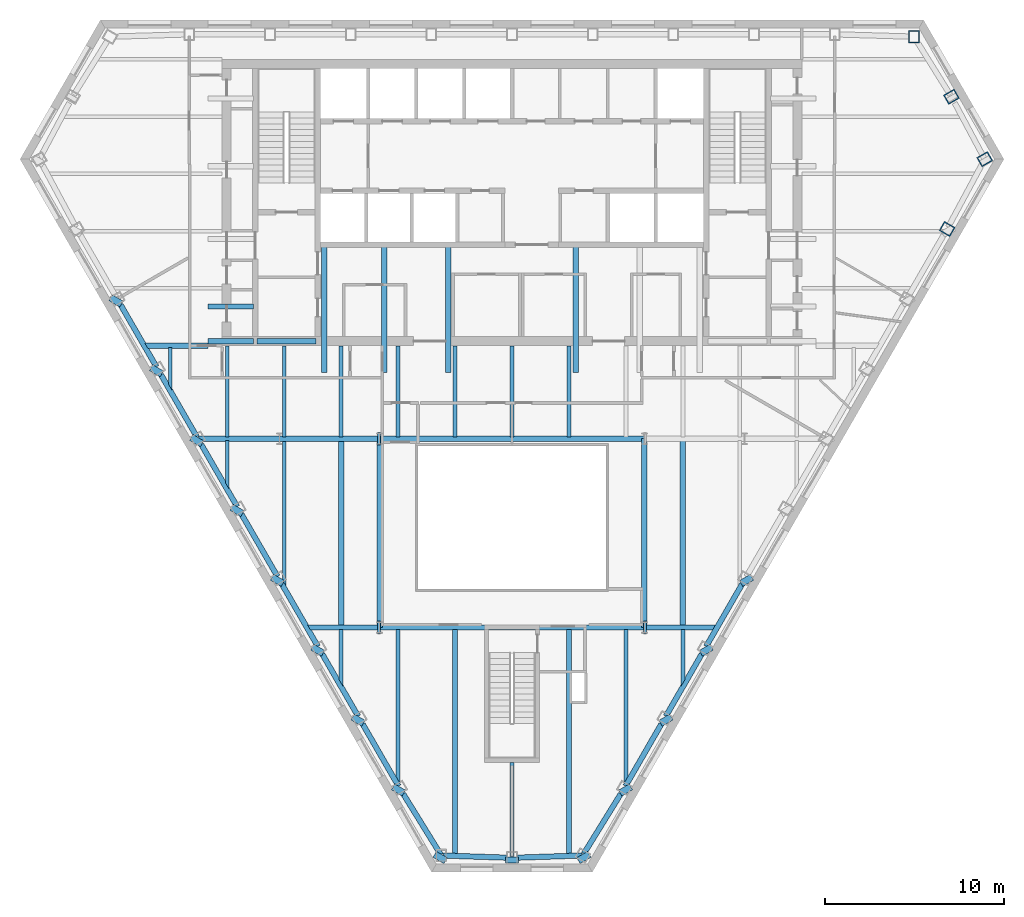
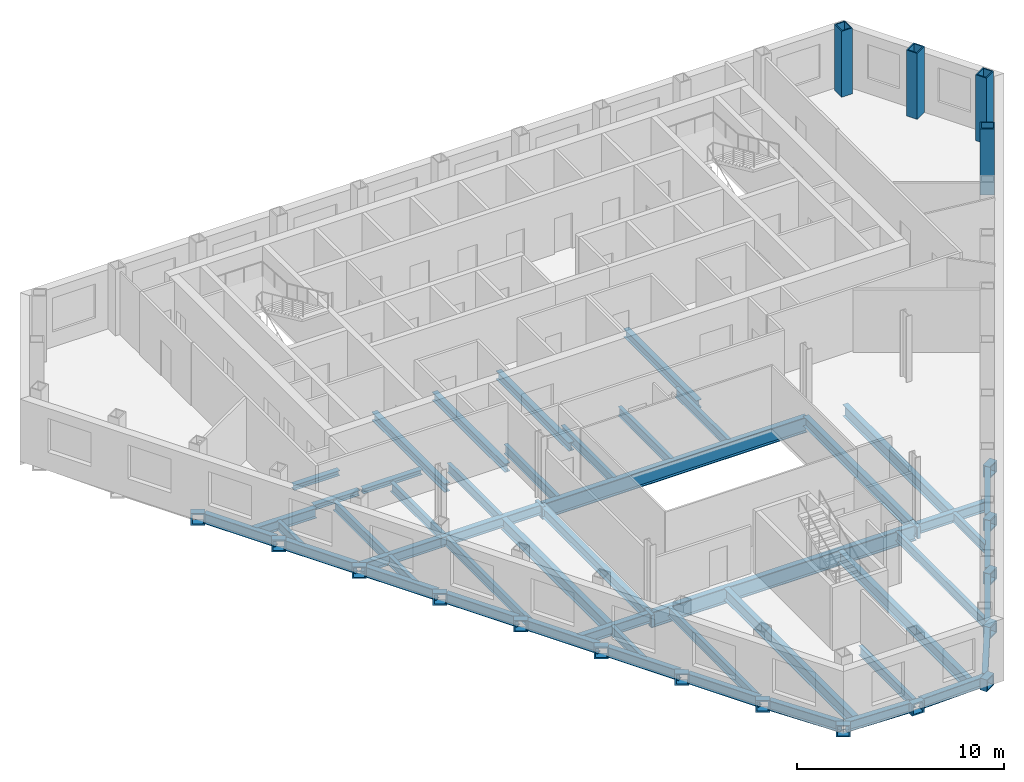
# One storey, part 2 of 11: 67 beams, 4 columns.
"""IFC4 building model written with IfcOpenShell, lengths in metres."""

import ifcopenshell
import ifcopenshell.guid

model = None  # the IFC model being written
_history = None  # IfcOwnerHistory: only IFC2X3 demands one
_inside = {}  # id of a spatial element -> (the spatial element, [elements in it])
_under = {}  # id of a project, library or spatial element -> (it, [spatial elements below it])
_declared = {}  # id of a project -> (the project, [libraries it declares])
_typed = {}  # id of a type object -> (the type object, [elements of that type])
_made_of = {}  # id of a material, layer set ... -> (it, [elements and type objects made of it])


def new_model(schema):
    """Start an empty IFC model of exactly this schema.

    Asked for "IFC4X3", IfcOpenShell would pick the latest addendum, in which some entities
    have other attributes; the version numbers below select the first issue.
    IFC2X3 requires an IfcOwnerHistory on every rooted entity: one is made here for all.
    """
    global model, _history
    if schema == "IFC4X3":
        model = ifcopenshell.file(schema_version=(4, 3, 0, 0))
    else:
        model = ifcopenshell.file(schema=schema)
    _inside.clear()
    _under.clear()
    _declared.clear()
    _typed.clear()
    _made_of.clear()
    _history = None
    if model.schema == "IFC2X3":
        org = make("IfcOrganization", Name="unknown")
        user = make(
            "IfcPersonAndOrganization",
            ThePerson=make("IfcPerson", FamilyName="unknown"),
            TheOrganization=org,
        )
        app = make(
            "IfcApplication",
            ApplicationDeveloper=org,
            Version="unknown",
            ApplicationFullName="unknown",
            ApplicationIdentifier="unknown",
        )
        _history = make(
            "IfcOwnerHistory",
            OwningUser=user,
            OwningApplication=app,
            ChangeAction="ADDED",
            CreationDate=0,
        )
    return model


def make(cls, **values):
    """One entity of the class cls with the attributes given. An attribute that is None is left unset."""
    return model.create_entity(
        cls, **{name: value for name, value in values.items() if value is not None}
    )


def rooted(cls, **values):
    """An entity with a GlobalId (a new one), such as an element, a storey or a relation."""
    return make(cls, GlobalId=ifcopenshell.guid.new(), OwnerHistory=_history, **values)


def si_unit(unit_type, name, prefix=None):
    """IfcSIUnit, for example si_unit("LENGTHUNIT", "METRE", prefix="MILLI")."""
    return make("IfcSIUnit", UnitType=unit_type, Prefix=prefix, Name=name)


def assignment(units):
    """IfcUnitAssignment: the units of a project."""
    return None if units is None else make("IfcUnitAssignment", Units=units)


def point(xyz):
    """IfcCartesianPoint."""
    return None if xyz is None else make("IfcCartesianPoint", Coordinates=xyz)


def direction(xyz):
    """IfcDirection."""
    return None if xyz is None else make("IfcDirection", DirectionRatios=xyz)


def frame(location, z_axis=None, x_axis=None):
    """IfcAxis2Placement3D, a coordinate frame: its origin and axes. An axis left out is left unset."""
    return make(
        "IfcAxis2Placement3D",
        Location=point(location),
        Axis=direction(z_axis),
        RefDirection=direction(x_axis),
    )


def frame_2d(location, x_axis=None):
    """IfcAxis2Placement2D, a coordinate frame in the plane: its origin and x axis."""
    return make(
        "IfcAxis2Placement2D", Location=point(location), RefDirection=direction(x_axis)
    )


def origin():
    """The frame at (0, 0, 0) with its axes left unset."""
    return frame((0.0, 0.0, 0.0))


def origin_2d():
    """The frame at (0, 0) in the plane with its x axis left unset."""
    return frame_2d((0.0, 0.0))


def place(relative_to, where):
    """IfcLocalPlacement: puts the frame where relative to a parent placement (None: the world)."""
    return make(
        "IfcLocalPlacement", PlacementRelTo=relative_to, RelativePlacement=where
    )


def context(
    kind, dimensions, precision=None, world=None, true_north=None, identifier=None
):
    """IfcGeometricRepresentationContext, for example the 3D "Model" context."""
    return make(
        "IfcGeometricRepresentationContext",
        ContextIdentifier=identifier,
        ContextType=kind,
        CoordinateSpaceDimension=dimensions,
        Precision=precision,
        WorldCoordinateSystem=world,
        TrueNorth=true_north,
    )


def subcontext(parent, identifier, kind, view, scale=None):
    """IfcGeometricRepresentationSubContext, for example "Body" below "Model"."""
    return make(
        "IfcGeometricRepresentationSubContext",
        ContextIdentifier=identifier,
        ContextType=kind,
        ParentContext=parent,
        TargetScale=scale,
        TargetView=view,
    )


def project(units=None, contexts=None):
    """IfcProject with its units and contexts."""
    return rooted(
        "IfcProject",
        Name="project",
        RepresentationContexts=contexts,
        UnitsInContext=assignment(units),
    )


def spatial(cls, under=None, at=None, **own):
    """A site, building, storey or space (cls), placed at a placement, below another one or the project."""
    s = rooted(cls, ObjectPlacement=at, **own)
    if under is not None:
        _under.setdefault(under.id(), (under, []))[1].append(s)
    return s


def profile(cls, at=None, kind="AREA", **sizes):
    """A parametric profile (cls). Its sizes go by their IFC names, for example OverallWidth=200.0."""
    return make(cls, ProfileType=kind, Position=at, **sizes)


def hollow_rectangle(**sizes):
    """IfcRectangleHollowProfileDef."""
    return profile("IfcRectangleHollowProfileDef", **sizes)


def i_section(**sizes):
    """IfcIShapeProfileDef."""
    return profile("IfcIShapeProfileDef", **sizes)


def extrude(swept, where, along, depth):
    """IfcExtrudedAreaSolid: the profile swept, set in the frame where, extruded along a direction by depth."""
    return make(
        "IfcExtrudedAreaSolid",
        SweptArea=swept,
        Position=where,
        ExtrudedDirection=direction(along),
        Depth=depth,
    )


def clip(a, b, op="DIFFERENCE"):
    """IfcBooleanClippingResult: the solid a cut by the half space b."""
    return make(
        "IfcBooleanClippingResult", Operator=op, FirstOperand=a, SecondOperand=b
    )


def halfspace(plane, agree):
    """IfcHalfSpaceSolid: all space on one side of the plane z = 0 of the frame plane."""
    return make(
        "IfcHalfSpaceSolid",
        BaseSurface=make("IfcPlane", Position=plane),
        AgreementFlag=agree,
    )


def shape(context_of_items, identifier, shape_type, items):
    """IfcShapeRepresentation: the items that make up one representation, for example the "Body"."""
    return make(
        "IfcShapeRepresentation",
        ContextOfItems=context_of_items,
        RepresentationIdentifier=identifier,
        RepresentationType=shape_type,
        Items=items,
    )


def material(Name=None, Category=None):
    """IfcMaterial."""
    return make("IfcMaterial", Name=Name, Category=Category)


def material_profile(
    of_material, cross_section, Name=None, Category=None, Priority=None
):
    """IfcMaterialProfile: a cross section and its material."""
    return make(
        "IfcMaterialProfile",
        Name=Name,
        Material=of_material,
        Profile=cross_section,
        Priority=Priority,
        Category=Category,
    )


def profile_set(profiles, Name=None, composite=None):
    """IfcMaterialProfileSet."""
    return make(
        "IfcMaterialProfileSet",
        Name=Name,
        MaterialProfiles=profiles,
        CompositeProfile=composite,
    )


def made_of(thing, what):
    """Note that an element or type object is made of a material, layer set ...; save() writes the relation."""
    if what is not None:
        _made_of.setdefault(what.id(), (what, []))[1].append(thing)
    return thing


def type_object(cls, material=None, **own):
    """A type object (cls), such as IfcWallType, which elements share."""
    return made_of(rooted(cls, **own), material)


def element(
    cls,
    number,
    at=None,
    inside=None,
    cuts=None,
    type_object=None,
    material=None,
    context=None,
    identifier="Body",
    shape_type=None,
    held_by="IfcProductDefinitionShape",
    body=None,
    shapes=None,
    **own,
):
    """One element of the class cls, such as IfcWall. Its Tag is "e" and its number.

    at: its placement. inside: the storey or other place that contains it. cuts: it is an
    opening in that element (IfcRelVoidsElement). A single representation is given by context,
    identifier, shape_type and body (its items); several are given by shapes. held_by: the class
    of the entity that holds the representations. save() writes the other relations.
    """
    e = rooted(cls, Tag="e%d" % number, ObjectPlacement=at, **own)
    if body is not None:
        shapes = [shape(context, identifier, shape_type, body)]
    if shapes is not None:
        e.Representation = make(held_by, Representations=shapes)
    if inside is not None:
        _inside.setdefault(inside.id(), (inside, []))[1].append(e)
    if cuts is not None:
        rooted(
            "IfcRelVoidsElement", RelatingBuildingElement=cuts, RelatedOpeningElement=e
        )
    if type_object is not None:
        _typed.setdefault(type_object.id(), (type_object, []))[1].append(e)
    return made_of(e, material)


def aggregate(whole, parts):
    """IfcRelAggregates: a whole, such as a stair, and the parts it consists of."""
    return rooted("IfcRelAggregates", RelatingObject=whole, RelatedObjects=parts)


def save(model, path):
    """Write the relations noted so far, then the file.

    IfcRelAggregates (storeys below a building ...), IfcRelContainedInSpatialStructure (elements
    in a storey), IfcRelDefinesByType, IfcRelAssociatesMaterial and IfcRelDeclares: one each for
    every whole, place, type object, material and project.
    """
    for whole, parts in _under.values():
        aggregate(whole, parts)
    for where, things in _inside.values():
        rooted(
            "IfcRelContainedInSpatialStructure",
            RelatedElements=things,
            RelatingStructure=where,
        )
    for kind, things in _typed.values():
        rooted("IfcRelDefinesByType", RelatedObjects=things, RelatingType=kind)
    for what, things in _made_of.values():
        rooted("IfcRelAssociatesMaterial", RelatedObjects=things, RelatingMaterial=what)
    for by, libraries in _declared.values():
        rooted("IfcRelDeclares", RelatingContext=by, RelatedDefinitions=libraries)
    model.write(path)


model = new_model("IFC4")

# Units and contexts
model_context = context("Model", 3, precision=1e-05, world=origin(), true_north=direction((0.0, 1.0)))
body_context = subcontext(model_context, "Body", "Model", "MODEL_VIEW")
ifc_project = project(units=[si_unit("LENGTHUNIT", "METRE"), si_unit("AREAUNIT", "SQUARE_METRE"), si_unit("VOLUMEUNIT", "CUBIC_METRE"), si_unit("PLANEANGLEUNIT", "RADIAN"), si_unit("MASSUNIT", "GRAM", prefix="KILO")], contexts=[model_context])

# Site, building, storey
site_placement = place(None, origin())
site = spatial("IfcSite", under=ifc_project, at=site_placement, CompositionType="ELEMENT")
building_placement = place(site_placement, origin())
building = spatial("IfcBuilding", under=site, at=building_placement, Name="Njiva Tower", CompositionType="ELEMENT")
storey_placement = place(building_placement, frame((0.0, 0.0, 139.8)))
storey = spatial("IfcBuildingStorey", under=building, at=storey_placement, Name="L29", CompositionType="ELEMENT", Elevation=139.8)

# Columns
ifc_material = material(Name="Steel S355 J2", Category="steel")
ifc_material_profile_1 = material_profile(ifc_material, hollow_rectangle(XDim=0.6, YDim=0.7, WallThickness=0.06, at=origin_2d()), Name="BOX 700x600x60")
ifc_profile_set_1 = profile_set([ifc_material_profile_1], Name="Steel S355 J2")
column_type = type_object("IfcColumnType", Name="C9 Perimeter tube column BOX 700x600x60", PredefinedType="COLUMN", material=ifc_profile_set_1)
for number, where, z_axis, x_axis, name in (
    (1, (22.466, 19.267, 0.0), (0.0, 0.0, 1.0), (-1.0, 0.0, 0.0), "Perimeter tube column S10-C01"),
    (2, (24.317, 8.519, 0.0), (0.0, 0.0, 1.0), (0.5, 0.866025403784, 0.0), "Perimeter tube column S10-C34"),
    (3, (26.418, 12.423, 0.0), (0.0, 0.0, 1.0), (-0.5, 0.866025403784, 0.0), "Perimeter tube column S10-C35"),
    (4, (24.557, 15.912, 0.0), (0.0, 0.0, 1.0), (-0.5, 0.866025403784, 0.0), "Perimeter tube column S10-C36"),
):
    element("IfcColumn", number, at=place(storey_placement, frame(where, z_axis=z_axis, x_axis=x_axis)), inside=storey, type_object=column_type, Name=name, PredefinedType="COLUMN", context=body_context, shape_type="SweptSolid", body=[
        extrude(hollow_rectangle(XDim=0.6, YDim=0.7, WallThickness=0.06, at=origin_2d()), origin(), (0.0, 0.0, 1.0), 3.9),
    ])

# Beams
ifc_material_profile_2 = material_profile(ifc_material, i_section(OverallWidth=0.3, OverallDepth=0.69, WebThickness=0.0145, FlangeThickness=0.027, at=origin_2d()), Name="HEA 700")
ifc_profile_set_2 = profile_set([ifc_material_profile_2], Name="Steel S355 J2")
beam_type_1 = type_object("IfcBeamType", Name="B12 Long-span floor joist HEA 700", PredefinedType="JOIST", material=ifc_profile_set_2)
beam_1_placement = place(storey_placement, frame((-9.55, -3.3, -0.545), z_axis=(0.0, -1.0, 0.0), x_axis=(1.0, 0.0, 0.0)))
element("IfcBeam", 5, at=beam_1_placement, inside=storey, type_object=beam_type_1, Name="Long-span floor joist S10-B078", PredefinedType="JOIST", context=body_context, shape_type="SweptSolid", body=[
    extrude(i_section(OverallWidth=0.3, OverallDepth=0.69, WebThickness=0.0145, FlangeThickness=0.027, at=origin_2d()), origin(), (0.0, 0.0, 1.0), 10.35),
])
for number, where, z_axis, x_axis, name in (
    (6, (-3.183, -13.851, -0.545), (0.0, -1.0, 0.0), (1.0, 0.0, 0.0), "Long-span floor joist S10-B083"),
    (7, (3.183, -13.851, -0.545), (0.0, -1.0, 0.0), (1.0, 0.0, 0.0), "Long-span floor joist S10-B088"),
):
    element("IfcBeam", number, at=place(storey_placement, frame(where, z_axis=z_axis, x_axis=x_axis)), inside=storey, type_object=beam_type_1, Name=name, PredefinedType="JOIST", context=body_context, shape_type="SweptSolid", body=[
        extrude(i_section(OverallWidth=0.3, OverallDepth=0.69, WebThickness=0.0145, FlangeThickness=0.027, at=origin_2d()), origin(), (0.0, 0.0, 1.0), 12.562),
    ])
beam_2_placement = place(storey_placement, frame((9.55, -3.3, -0.545), z_axis=(0.0, -1.0, 0.0), x_axis=(1.0, 0.0, 0.0)))
element("IfcBeam", 8, at=beam_2_placement, inside=storey, type_object=beam_type_1, Name="Long-span floor joist S10-B094", PredefinedType="JOIST", context=body_context, shape_type="SweptSolid", body=[
    extrude(i_section(OverallWidth=0.3, OverallDepth=0.69, WebThickness=0.0145, FlangeThickness=0.027, at=origin_2d()), origin(), (0.0, 0.0, 1.0), 10.35),
])
ifc_material_profile_3 = material_profile(ifc_material, hollow_rectangle(XDim=0.7, YDim=0.7, WallThickness=0.08, at=origin_2d()), Name="BOX 700x700x80")
ifc_profile_set_3 = profile_set([ifc_material_profile_3], Name="Steel S355 J2")
beam_type_2 = type_object("IfcBeamType", Name="B19 Column jog beam BOX 700x700x80", PredefinedType="BEAM", material=ifc_profile_set_3)
for number, where, z_axis, x_axis, name in (
    (9, (-22.223, 4.337, -0.55), (0.500102178127, 0.865966403178, 0.0), (-0.865966403178, 0.500102178127, 0.0), "Column jog beam S10-B046"),
    (10, (-19.968, 0.432, -0.55), (0.500102178127, 0.865966403178, 0.0), (-0.865966403178, 0.500102178127, 0.0), "Column jog beam S10-B047"),
    (11, (-17.714, -3.472, -0.55), (0.500102178127, 0.865966403178, 0.0), (-0.865966403178, 0.500102178127, 0.0), "Column jog beam S10-B048"),
    (12, (-15.46, -7.377, -0.55), (0.500102178127, 0.865966403178, 0.0), (-0.865966403178, 0.500102178127, 0.0), "Column jog beam S10-B049"),
):
    element("IfcBeam", number, at=place(storey_placement, frame(where, z_axis=z_axis, x_axis=x_axis)), inside=storey, type_object=beam_type_2, Name=name, PredefinedType="BEAM", context=body_context, shape_type="SweptSolid", body=[
        extrude(hollow_rectangle(XDim=0.7, YDim=0.7, WallThickness=0.08, at=origin_2d()), origin(), (0.0, 0.0, 1.0), 0.3799),
    ])
beam_3_placement = place(storey_placement, frame((-13.205, -11.282, -0.55), z_axis=(0.498964444867, 0.866622456874, 0.0), x_axis=(-0.866622456874, 0.498964444867, 0.0)))
element("IfcBeam", 13, at=beam_3_placement, inside=storey, type_object=beam_type_2, Name="Column jog beam S10-B050", PredefinedType="BEAM", context=body_context, shape_type="SweptSolid", body=[
    extrude(hollow_rectangle(XDim=0.7, YDim=0.7, WallThickness=0.08, at=origin_2d()), origin(), (0.0, 0.0, 1.0), 0.3808),
])
for number, where, z_axis, x_axis, name in (
    (14, (-10.951, -15.186, -0.55), (0.500102178127, 0.865966403178, 0.0), (-0.865966403178, 0.500102178127, 0.0), "Column jog beam S10-B051"),
    (15, (-8.697, -19.091, -0.55), (0.500102178127, 0.865966403178, 0.0), (-0.865966403178, 0.500102178127, 0.0), "Column jog beam S10-B052"),
    (16, (-6.442, -22.995, -0.55), (0.500102178127, 0.865966403178, 0.0), (-0.865966403178, 0.500102178127, 0.0), "Column jog beam S10-B055"),
    (17, (-4.111, -26.767, -0.55), (0.500102178127, 0.865966403178, 0.0), (-0.865966403178, 0.500102178127, 0.0), "Column jog beam S10-B056"),
):
    element("IfcBeam", number, at=place(storey_placement, frame(where, z_axis=z_axis, x_axis=x_axis)), inside=storey, type_object=beam_type_2, Name=name, PredefinedType="BEAM", context=body_context, shape_type="SweptSolid", body=[
        extrude(hollow_rectangle(XDim=0.7, YDim=0.7, WallThickness=0.08, at=origin_2d()), origin(), (0.0, 0.0, 1.0), 0.3799),
    ])
beam_4_placement = place(storey_placement, frame((0.0, -26.908, -0.55), z_axis=(0.0, 1.0, 0.0), x_axis=(-1.0, 0.0, 0.0)))
element("IfcBeam", 18, at=beam_4_placement, inside=storey, type_object=beam_type_2, Name="Column jog beam S10-B057", PredefinedType="BEAM", context=body_context, shape_type="SweptSolid", body=[
    extrude(hollow_rectangle(XDim=0.7, YDim=0.7, WallThickness=0.08, at=origin_2d()), origin(), (0.0, 0.0, 1.0), 0.345),
])
for number, where, z_axis, x_axis, name in (
    (19, (4.111, -26.767, -0.55), (-0.500102178127, 0.865966403178, 0.0), (-0.865966403178, -0.500102178127, 0.0), "Column jog beam S10-B058"),
    (20, (6.442, -22.995, -0.55), (-0.500102178127, 0.865966403178, 0.0), (-0.865966403178, -0.500102178127, 0.0), "Column jog beam S10-B059"),
    (21, (8.697, -19.091, -0.55), (-0.500102178127, 0.865966403178, 0.0), (-0.865966403178, -0.500102178127, 0.0), "Column jog beam S10-B062"),
    (22, (10.951, -15.186, -0.55), (-0.500102178127, 0.865966403178, 0.0), (-0.865966403178, -0.500102178127, 0.0), "Column jog beam S10-B063"),
):
    element("IfcBeam", number, at=place(storey_placement, frame(where, z_axis=z_axis, x_axis=x_axis)), inside=storey, type_object=beam_type_2, Name=name, PredefinedType="BEAM", context=body_context, shape_type="SweptSolid", body=[
        extrude(hollow_rectangle(XDim=0.7, YDim=0.7, WallThickness=0.08, at=origin_2d()), origin(), (0.0, 0.0, 1.0), 0.3799),
    ])
beam_5_placement = place(storey_placement, frame((13.205, -11.282, -0.55), z_axis=(-0.498964444867, 0.866622456874, 0.0), x_axis=(-0.866622456874, -0.498964444867, 0.0)))
element("IfcBeam", 23, at=beam_5_placement, inside=storey, type_object=beam_type_2, Name="Column jog beam S10-B064", PredefinedType="BEAM", context=body_context, shape_type="SweptSolid", body=[
    extrude(hollow_rectangle(XDim=0.7, YDim=0.7, WallThickness=0.08, at=origin_2d()), origin(), (0.0, 0.0, 1.0), 0.3808),
])
for number, where, z_axis, x_axis, name in (
    (24, (-7.52, -3.2, -0.55), (1.0, 0.0, 0.0), (0.0, 1.0, 0.0), "Column jog beam S10-B054"),
    (25, (7.52, -13.75, -0.55), (-1.0, 0.0, 0.0), (0.0, -1.0, 0.0), "Column jog beam S10-B060"),
    (26, (-7.52, -13.75, -0.55), (1.0, 0.0, 0.0), (0.0, 1.0, 0.0), "Column jog beam S10-B053"),
):
    element("IfcBeam", number, at=place(storey_placement, frame(where, z_axis=z_axis, x_axis=x_axis)), inside=storey, type_object=beam_type_2, Name=name, PredefinedType="BEAM", context=body_context, shape_type="SweptSolid", body=[
        extrude(hollow_rectangle(XDim=0.7, YDim=0.7, WallThickness=0.08, at=origin_2d()), origin(), (0.0, 0.0, 1.0), 0.18),
    ])
ifc_material_profile_4 = material_profile(ifc_material, i_section(OverallWidth=0.3, OverallDepth=0.59, WebThickness=0.013, FlangeThickness=0.025, at=origin_2d()), Name="HEA 600")
ifc_profile_set_4 = profile_set([ifc_material_profile_4], Name="Steel S355 J2")
beam_type_3 = type_object("IfcBeamType", Name="B27 Short-span spandrel beam HEA 600", PredefinedType="SPANDREL", material=ifc_profile_set_4)
beam_6_placement = place(storey_placement, frame((-21.873, 4.285, -0.495), z_axis=(0.500082280366, -0.865977893981, 0.0), x_axis=(0.865977893981, 0.500082280366, 0.0)))
element("IfcBeam", 27, at=beam_6_placement, inside=storey, type_object=beam_type_3, Name="Short-span spandrel beam S10-B117", PredefinedType="SPANDREL", context=body_context, shape_type="SweptSolid", body=[
    extrude(i_section(OverallWidth=0.3, OverallDepth=0.59, WebThickness=0.013, FlangeThickness=0.025, at=origin_2d()), origin(), (0.0, 0.0, 1.0), 4.0093),
])
beam_7_placement = place(storey_placement, frame((-19.618, 0.38, -0.495), z_axis=(0.500003221507, -0.866023543838, 0.0), x_axis=(0.866023543838, 0.500003221507, 0.0)))
element("IfcBeam", 28, at=beam_7_placement, inside=storey, type_object=beam_type_3, Name="Short-span spandrel beam S10-B119", PredefinedType="SPANDREL", context=body_context, shape_type="SweptSolid", body=[
    extrude(i_section(OverallWidth=0.3, OverallDepth=0.59, WebThickness=0.013, FlangeThickness=0.025, at=origin_2d()), origin(), (0.0, 0.0, 1.0), 4.008),
])
beam_8_placement = place(storey_placement, frame((-17.364, -3.524, -0.495), z_axis=(0.499895202697, -0.866085900082, 0.0), x_axis=(0.866085900082, 0.499895202697, 0.0)))
element("IfcBeam", 29, at=beam_8_placement, inside=storey, type_object=beam_type_3, Name="Short-span spandrel beam S10-B122", PredefinedType="SPANDREL", context=body_context, shape_type="SweptSolid", body=[
    extrude(i_section(OverallWidth=0.3, OverallDepth=0.59, WebThickness=0.013, FlangeThickness=0.025, at=origin_2d()), origin(), (0.0, 0.0, 1.0), 4.0088),
])
beam_9_placement = place(storey_placement, frame((-15.11, -7.429, -0.495), z_axis=(0.500082280366, -0.865977893981, 0.0), x_axis=(0.865977893981, 0.500082280366, 0.0)))
element("IfcBeam", 30, at=beam_9_placement, inside=storey, type_object=beam_type_3, Name="Short-span spandrel beam S10-B124", PredefinedType="SPANDREL", context=body_context, shape_type="SweptSolid", body=[
    extrude(i_section(OverallWidth=0.3, OverallDepth=0.59, WebThickness=0.013, FlangeThickness=0.025, at=origin_2d()), origin(), (0.0, 0.0, 1.0), 4.0093),
])
beam_10_placement = place(storey_placement, frame((-12.855, -11.334, -0.495), z_axis=(0.500003221507, -0.866023543838, 0.0), x_axis=(0.866023543838, 0.500003221507, 0.0)))
element("IfcBeam", 31, at=beam_10_placement, inside=storey, type_object=beam_type_3, Name="Short-span spandrel beam S10-B127", PredefinedType="SPANDREL", context=body_context, shape_type="SweptSolid", body=[
    extrude(i_section(OverallWidth=0.3, OverallDepth=0.59, WebThickness=0.013, FlangeThickness=0.025, at=origin_2d()), origin(), (0.0, 0.0, 1.0), 4.008),
])
beam_11_placement = place(storey_placement, frame((-10.601, -15.238, -0.495), z_axis=(0.499895202697, -0.866085900082, 0.0), x_axis=(0.866085900082, 0.499895202697, 0.0)))
element("IfcBeam", 32, at=beam_11_placement, inside=storey, type_object=beam_type_3, Name="Short-span spandrel beam S10-B129", PredefinedType="SPANDREL", context=body_context, shape_type="SweptSolid", body=[
    extrude(i_section(OverallWidth=0.3, OverallDepth=0.59, WebThickness=0.013, FlangeThickness=0.025, at=origin_2d()), origin(), (0.0, 0.0, 1.0), 4.0088),
])
beam_12_placement = place(storey_placement, frame((-8.347, -19.143, -0.495), z_axis=(0.500190312643, -0.865915498844, 0.0), x_axis=(0.865915498844, 0.500190312643, 0.0)))
element("IfcBeam", 33, at=beam_12_placement, inside=storey, type_object=beam_type_3, Name="Short-span spandrel beam S10-B132", PredefinedType="SPANDREL", context=body_context, shape_type="SweptSolid", body=[
    extrude(i_section(OverallWidth=0.3, OverallDepth=0.59, WebThickness=0.013, FlangeThickness=0.025, at=origin_2d()), origin(), (0.0, 0.0, 1.0), 4.0085),
])
beam_13_placement = place(storey_placement, frame((-6.081, -23.044, -0.495), z_axis=(0.525842012899, -0.850582257909, 0.0), x_axis=(0.850582257909, 0.525842012899, 0.0)))
element("IfcBeam", 34, at=beam_13_placement, inside=storey, type_object=beam_type_3, Name="Short-span spandrel beam S10-B134", PredefinedType="SPANDREL", context=body_context, shape_type="Clipping", body=[
    clip(extrude(i_section(OverallWidth=0.3, OverallDepth=0.59, WebThickness=0.013, FlangeThickness=0.025, at=origin_2d()), origin(), (0.0, 0.0, 1.0), 4.0762), halfspace(frame((-0.0266, 0.0, 3.9467), z_axis=(-0.525842012899, 0.0, 0.850582257909), x_axis=(0.0, 1.0, 0.0)), False)),
])
beam_14_placement = place(storey_placement, frame((-3.827, -26.494, -0.495), z_axis=(0.999436808109, -0.033556915773, 0.0), x_axis=(0.033556915773, 0.999436808109, 0.0)))
element("IfcBeam", 35, at=beam_14_placement, inside=storey, type_object=beam_type_3, Name="Short-span spandrel beam S10-B136", PredefinedType="SPANDREL", context=body_context, shape_type="SweptSolid", body=[
    extrude(i_section(OverallWidth=0.3, OverallDepth=0.59, WebThickness=0.013, FlangeThickness=0.025, at=origin_2d()), origin(), (0.0, 0.0, 1.0), 3.576),
])
beam_15_placement = place(storey_placement, frame((0.253, -26.614, -0.495), z_axis=(0.999438744518, 0.033499193376, 0.0), x_axis=(-0.033499193376, 0.999438744518, 0.0)))
element("IfcBeam", 36, at=beam_15_placement, inside=storey, type_object=beam_type_3, Name="Short-span spandrel beam S10-B139", PredefinedType="SPANDREL", context=body_context, shape_type="Clipping", body=[
    clip(extrude(i_section(OverallWidth=0.3, OverallDepth=0.59, WebThickness=0.013, FlangeThickness=0.025, at=origin_2d()), origin(), (0.0, 0.0, 1.0), 3.725), halfspace(frame((-0.0261, 0.0, 3.5955), z_axis=(-0.528728574125, 0.0, 0.848790960664), x_axis=(0.0, 1.0, 0.0)), False)),
])
beam_16_placement = place(storey_placement, frame((4.016, -26.385, -0.495), z_axis=(0.525758460145, 0.850633905735, 0.0), x_axis=(-0.850633905735, 0.525758460145, 0.0)))
element("IfcBeam", 37, at=beam_16_placement, inside=storey, type_object=beam_type_3, Name="Short-span spandrel beam S10-B141", PredefinedType="SPANDREL", context=body_context, shape_type="SweptSolid", body=[
    extrude(i_section(OverallWidth=0.3, OverallDepth=0.59, WebThickness=0.013, FlangeThickness=0.025, at=origin_2d()), origin(), (0.0, 0.0, 1.0), 3.9277),
])
beam_17_placement = place(storey_placement, frame((6.342, -22.614, -0.495), z_axis=(0.500190312643, 0.865915498844, 0.0), x_axis=(-0.865915498844, 0.500190312643, 0.0)))
element("IfcBeam", 38, at=beam_17_placement, inside=storey, type_object=beam_type_3, Name="Short-span spandrel beam S10-B144", PredefinedType="SPANDREL", context=body_context, shape_type="SweptSolid", body=[
    extrude(i_section(OverallWidth=0.3, OverallDepth=0.59, WebThickness=0.013, FlangeThickness=0.025, at=origin_2d()), origin(), (0.0, 0.0, 1.0), 4.0085),
])
beam_18_placement = place(storey_placement, frame((8.597, -18.71, -0.495), z_axis=(0.499895202697, 0.866085900082, 0.0), x_axis=(-0.866085900082, 0.499895202697, 0.0)))
element("IfcBeam", 39, at=beam_18_placement, inside=storey, type_object=beam_type_3, Name="Short-span spandrel beam S10-B146", PredefinedType="SPANDREL", context=body_context, shape_type="SweptSolid", body=[
    extrude(i_section(OverallWidth=0.3, OverallDepth=0.59, WebThickness=0.013, FlangeThickness=0.025, at=origin_2d()), origin(), (0.0, 0.0, 1.0), 4.0088),
])
beam_19_placement = place(storey_placement, frame((10.851, -14.805, -0.495), z_axis=(0.500003221507, 0.866023543838, 0.0), x_axis=(-0.866023543838, 0.500003221507, 0.0)))
element("IfcBeam", 40, at=beam_19_placement, inside=storey, type_object=beam_type_3, Name="Short-span spandrel beam S10-B149", PredefinedType="SPANDREL", context=body_context, shape_type="SweptSolid", body=[
    extrude(i_section(OverallWidth=0.3, OverallDepth=0.59, WebThickness=0.013, FlangeThickness=0.025, at=origin_2d()), origin(), (0.0, 0.0, 1.0), 4.008),
])
ifc_material_profile_5 = material_profile(ifc_material, i_section(OverallWidth=0.3, OverallDepth=0.59, WebThickness=0.013, FlangeThickness=0.025, at=origin_2d()), Name="HEA 600")
ifc_profile_set_5 = profile_set([ifc_material_profile_5], Name="Steel S355 J2")
beam_type_4 = type_object("IfcBeamType", Name="B28 Floor girder HEA 600", PredefinedType="BEAM", material=ifc_profile_set_5)
beam_20_placement = place(storey_placement, frame((-13.0, -3.2, -0.495), z_axis=(1.0, 0.0, 0.0), x_axis=(0.0, 1.0, 0.0)))
element("IfcBeam", 41, at=beam_20_placement, inside=storey, type_object=beam_type_4, Name="Floor girder S10-B035", PredefinedType="BEAM", context=body_context, shape_type="SweptSolid", body=[
    extrude(i_section(OverallWidth=0.3, OverallDepth=0.59, WebThickness=0.013, FlangeThickness=0.025, at=origin_2d()), origin(), (0.0, 0.0, 1.0), 5.6),
])
ifc_material_profile_6 = material_profile(ifc_material, i_section(OverallWidth=0.3, OverallDepth=0.59, WebThickness=0.013, FlangeThickness=0.025, at=origin_2d()), Name="HEA 600")
ifc_profile_set_6 = profile_set([ifc_material_profile_6], Name="Steel S355 J2")
beam_type_5 = type_object("IfcBeamType", Name="B29 Short-span floor girder HEA 600", PredefinedType="BEAM", material=ifc_profile_set_6)
beam_21_placement = place(storey_placement, frame((-17.572, -3.2, -0.495), z_axis=(1.0, 0.0, 0.0), x_axis=(0.0, 1.0, 0.0)))
element("IfcBeam", 42, at=beam_21_placement, inside=storey, type_object=beam_type_5, Name="Short-span floor girder S10-B033", PredefinedType="BEAM", context=body_context, shape_type="Clipping", body=[
    clip(extrude(i_section(OverallWidth=0.3, OverallDepth=0.59, WebThickness=0.013, FlangeThickness=0.025, at=origin_2d()), origin(), (0.0, 0.0, 1.0), 4.572), halfspace(frame((-0.025, 0.0, 0.1218), z_axis=(-0.499998009787, 0.0, -0.866026552831), x_axis=(0.0, -1.0, 0.0)), False)),
])
beam_22_placement = place(storey_placement, frame((-11.452, -13.75, -0.495), z_axis=(1.0, 0.0, 0.0), x_axis=(0.0, 1.0, 0.0)))
element("IfcBeam", 43, at=beam_22_placement, inside=storey, type_object=beam_type_5, Name="Short-span floor girder S10-B036", PredefinedType="BEAM", context=body_context, shape_type="Clipping", body=[
    clip(extrude(i_section(OverallWidth=0.3, OverallDepth=0.59, WebThickness=0.013, FlangeThickness=0.025, at=origin_2d()), origin(), (0.0, 0.0, 1.0), 4.052), halfspace(frame((-0.025, 0.0, 0.1217), z_axis=(-0.499998009787, 0.0, -0.866026552831), x_axis=(0.0, -1.0, 0.0)), False)),
])
beam_23_placement = place(storey_placement, frame((7.4, -13.75, -0.495), z_axis=(1.0, 0.0, 0.0), x_axis=(0.0, 1.0, 0.0)))
element("IfcBeam", 44, at=beam_23_placement, inside=storey, type_object=beam_type_5, Name="Short-span floor girder S10-B037", PredefinedType="BEAM", context=body_context, shape_type="Clipping", body=[
    clip(extrude(i_section(OverallWidth=0.3, OverallDepth=0.59, WebThickness=0.013, FlangeThickness=0.025, at=origin_2d()), origin(), (0.0, 0.0, 1.0), 4.052), halfspace(frame((-0.025, 0.0, 3.9303), z_axis=(-0.499998009787, 0.0, 0.866026552831), x_axis=(0.0, 1.0, 0.0)), False)),
])
beam_24_placement = place(storey_placement, frame((-20.545, 2.0, -0.495), z_axis=(1.0, 0.0, 0.0), x_axis=(0.0, 1.0, 0.0)))
element("IfcBeam", 45, at=beam_24_placement, inside=storey, type_object=beam_type_5, Name="Short-span floor girder S10-B031", PredefinedType="BEAM", context=body_context, shape_type="Clipping", body=[
    clip(extrude(i_section(OverallWidth=0.3, OverallDepth=0.59, WebThickness=0.013, FlangeThickness=0.025, at=origin_2d()), origin(), (0.0, 0.0, 1.0), 3.545), halfspace(frame((-0.025, 0.0, 0.1214), z_axis=(-0.499998009787, 0.0, -0.866026552831), x_axis=(0.0, -1.0, 0.0)), False)),
])
ifc_material_profile_7 = material_profile(ifc_material, i_section(OverallWidth=0.3, OverallDepth=0.59, WebThickness=0.013, FlangeThickness=0.025, at=origin_2d()), Name="HEA 600")
ifc_profile_set_7 = profile_set([ifc_material_profile_7], Name="Steel S355 J2")
beam_type_6 = type_object("IfcBeamType", Name="B30 Long-span atrium trimmer beam HEA 600", PredefinedType="BEAM", material=ifc_profile_set_7)
for number, where, z_axis, x_axis, name in (
    (46, (7.4, -13.75, -0.495), (0.0, 1.0, 0.0), (-1.0, 0.0, 0.0), "Long-span atrium trimmer beam S10-B105"),
    (47, (-7.4, -3.2, -0.495), (0.0, -1.0, 0.0), (1.0, 0.0, 0.0), "Long-span atrium trimmer beam S10-B101"),
):
    element("IfcBeam", number, at=place(storey_placement, frame(where, z_axis=z_axis, x_axis=x_axis)), inside=storey, type_object=beam_type_6, Name=name, PredefinedType="BEAM", context=body_context, shape_type="SweptSolid", body=[
        extrude(i_section(OverallWidth=0.3, OverallDepth=0.59, WebThickness=0.013, FlangeThickness=0.025, at=origin_2d()), origin(), (0.0, 0.0, 1.0), 10.55),
    ])
ifc_material_profile_8 = material_profile(ifc_material, i_section(OverallWidth=0.21, OverallDepth=0.55, WebThickness=0.0111, FlangeThickness=0.0172, at=origin_2d()), Name="IPE 550")
ifc_profile_set_8 = profile_set([ifc_material_profile_8], Name="Steel S355 J2")
beam_type_7 = type_object("IfcBeamType", Name="B31 Short-span floor joist IPE 550", PredefinedType="JOIST", material=ifc_profile_set_8)
beam_25_placement = place(storey_placement, frame((-19.1, 1.9, -0.475), z_axis=(0.0, -1.0, 0.0), x_axis=(1.0, 0.0, 0.0)))
element("IfcBeam", 48, at=beam_25_placement, inside=storey, type_object=beam_type_7, Name="Short-span floor joist S10-B072", PredefinedType="JOIST", context=body_context, shape_type="Clipping", body=[
    clip(extrude(i_section(OverallWidth=0.21, OverallDepth=0.55, WebThickness=0.0111, FlangeThickness=0.0172, at=origin_2d()), origin(), (0.0, 0.0, 1.0), 2.419), halfspace(frame((-0.0433, 0.0, 2.1425), z_axis=(-0.866026552831, 0.0, 0.499998009787), x_axis=(0.0, 1.0, 0.0)), False)),
])
beam_26_placement = place(storey_placement, frame((-15.917, -3.3, -0.475), z_axis=(0.0, -1.0, 0.0), x_axis=(1.0, 0.0, 0.0)))
element("IfcBeam", 49, at=beam_26_placement, inside=storey, type_object=beam_type_7, Name="Short-span floor joist S10-B073", PredefinedType="JOIST", context=body_context, shape_type="Clipping", body=[
    clip(extrude(i_section(OverallWidth=0.21, OverallDepth=0.55, WebThickness=0.0111, FlangeThickness=0.0172, at=origin_2d()), origin(), (0.0, 0.0, 1.0), 2.733), halfspace(frame((-0.043, 0.0, 2.4562), z_axis=(-0.866026552831, 0.0, 0.499998009787), x_axis=(0.0, 1.0, 0.0)), False)),
])
beam_27_placement = place(storey_placement, frame((-9.55, -13.85, -0.475), z_axis=(0.0, -1.0, 0.0), x_axis=(1.0, 0.0, 0.0)))
element("IfcBeam", 50, at=beam_27_placement, inside=storey, type_object=beam_type_7, Name="Short-span floor joist S10-B077", PredefinedType="JOIST", context=body_context, shape_type="Clipping", body=[
    clip(extrude(i_section(OverallWidth=0.21, OverallDepth=0.55, WebThickness=0.0111, FlangeThickness=0.0172, at=origin_2d()), origin(), (0.0, 0.0, 1.0), 3.211), halfspace(frame((-0.0433, 0.0, 2.9336), z_axis=(-0.866026552831, 0.0, 0.499998009787), x_axis=(0.0, 1.0, 0.0)), False)),
])
beam_28_placement = place(storey_placement, frame((9.55, -13.85, -0.475), z_axis=(0.0, -1.0, 0.0), x_axis=(1.0, 0.0, 0.0)))
element("IfcBeam", 51, at=beam_28_placement, inside=storey, type_object=beam_type_7, Name="Short-span floor joist S10-B093", PredefinedType="JOIST", context=body_context, shape_type="Clipping", body=[
    clip(extrude(i_section(OverallWidth=0.21, OverallDepth=0.55, WebThickness=0.0111, FlangeThickness=0.0172, at=origin_2d()), origin(), (0.0, 0.0, 1.0), 3.211), halfspace(frame((0.0433, 0.0, 2.9336), z_axis=(0.866026552831, 0.0, 0.499998009787), x_axis=(0.0, 1.0, 0.0)), False)),
])
ifc_material_profile_9 = material_profile(ifc_material, i_section(OverallWidth=0.21, OverallDepth=0.55, WebThickness=0.0111, FlangeThickness=0.0172, at=origin_2d()), Name="IPE 550")
ifc_profile_set_9 = profile_set([ifc_material_profile_9], Name="Steel S355 J2")
beam_type_8 = type_object("IfcBeamType", Name="B32 Floor joist IPE 550", PredefinedType="JOIST", material=ifc_profile_set_9)
for number, where, z_axis, x_axis, name in (
    (52, (-15.917, 1.995, -0.475), (0.0, -1.0, 0.0), (1.0, 0.0, 0.0), "Floor joist S10-B074"),
    (53, (-12.733, 1.995, -0.475), (0.0, -1.0, 0.0), (1.0, 0.0, 0.0), "Floor joist S10-B076"),
):
    element("IfcBeam", number, at=place(storey_placement, frame(where, z_axis=z_axis, x_axis=x_axis)), inside=storey, type_object=beam_type_8, Name=name, PredefinedType="JOIST", context=body_context, shape_type="SweptSolid", body=[
        extrude(i_section(OverallWidth=0.21, OverallDepth=0.55, WebThickness=0.0111, FlangeThickness=0.0172, at=origin_2d()), origin(), (0.0, 0.0, 1.0), 5.095),
    ])
beam_29_placement = place(storey_placement, frame((-12.733, -3.3, -0.475), z_axis=(0.0, -1.0, 0.0), x_axis=(1.0, 0.0, 0.0)))
element("IfcBeam", 54, at=beam_29_placement, inside=storey, type_object=beam_type_8, Name="Floor joist S10-B075", PredefinedType="JOIST", context=body_context, shape_type="Clipping", body=[
    clip(extrude(i_section(OverallWidth=0.21, OverallDepth=0.55, WebThickness=0.0111, FlangeThickness=0.0172, at=origin_2d()), origin(), (0.0, 0.0, 1.0), 8.247), halfspace(frame((-0.0436, 0.0, 7.9699), z_axis=(-0.866026552831, 0.0, 0.499998009787), x_axis=(0.0, 1.0, 0.0)), False)),
])
beam_30_placement = place(storey_placement, frame((-9.55, 1.995, -0.475), z_axis=(0.0, -1.0, 0.0), x_axis=(1.0, 0.0, 0.0)))
element("IfcBeam", 55, at=beam_30_placement, inside=storey, type_object=beam_type_8, Name="Floor joist S10-B079", PredefinedType="JOIST", context=body_context, shape_type="SweptSolid", body=[
    extrude(i_section(OverallWidth=0.21, OverallDepth=0.55, WebThickness=0.0111, FlangeThickness=0.0172, at=origin_2d()), origin(), (0.0, 0.0, 1.0), 5.095),
])
beam_31_placement = place(storey_placement, frame((-6.367, 1.995, -0.475), z_axis=(0.0, -1.0, 0.0), x_axis=(1.0, 0.0, 0.0)))
element("IfcBeam", 56, at=beam_31_placement, inside=storey, type_object=beam_type_8, Name="Floor joist S10-B082", PredefinedType="JOIST", context=body_context, shape_type="SweptSolid", body=[
    extrude(i_section(OverallWidth=0.21, OverallDepth=0.55, WebThickness=0.0111, FlangeThickness=0.0172, at=origin_2d()), origin(), (0.0, 0.0, 1.0), 5.094),
])
beam_32_placement = place(storey_placement, frame((-6.367, -13.851, -0.475), z_axis=(0.0, -1.0, 0.0), x_axis=(1.0, 0.0, 0.0)))
element("IfcBeam", 57, at=beam_32_placement, inside=storey, type_object=beam_type_8, Name="Floor joist S10-B080", PredefinedType="JOIST", context=body_context, shape_type="Clipping", body=[
    clip(extrude(i_section(OverallWidth=0.21, OverallDepth=0.55, WebThickness=0.0111, FlangeThickness=0.0172, at=origin_2d()), origin(), (0.0, 0.0, 1.0), 8.858), halfspace(frame((0.0253, 0.0, 8.7627), z_axis=(0.499998009787, 0.0, 0.866026552831), x_axis=(0.0, 1.0, 0.0)), False)),
])
for number, where, z_axis, x_axis, name in (
    (58, (-3.183, 1.995, -0.475), (0.0, -1.0, 0.0), (1.0, 0.0, 0.0), "Floor joist S10-B084"),
    (59, (0.0, 1.995, -0.475), (0.0, -1.0, 0.0), (1.0, 0.0, 0.0), "Floor joist S10-B087"),
):
    element("IfcBeam", number, at=place(storey_placement, frame(where, z_axis=z_axis, x_axis=x_axis)), inside=storey, type_object=beam_type_8, Name=name, PredefinedType="JOIST", context=body_context, shape_type="SweptSolid", body=[
        extrude(i_section(OverallWidth=0.21, OverallDepth=0.55, WebThickness=0.0111, FlangeThickness=0.0172, at=origin_2d()), origin(), (0.0, 0.0, 1.0), 5.094),
    ])
beam_33_placement = place(storey_placement, frame((0.0, -21.3, -0.475), z_axis=(0.0, -1.0, 0.0), x_axis=(1.0, 0.0, 0.0)))
element("IfcBeam", 60, at=beam_33_placement, inside=storey, type_object=beam_type_8, Name="Floor joist S10-B085", PredefinedType="JOIST", context=body_context, shape_type="SweptSolid", body=[
    extrude(i_section(OverallWidth=0.21, OverallDepth=0.55, WebThickness=0.0111, FlangeThickness=0.0172, at=origin_2d()), origin(), (0.0, 0.0, 1.0), 5.248),
])
beam_34_placement = place(storey_placement, frame((3.183, 1.995, -0.475), z_axis=(0.0, -1.0, 0.0), x_axis=(1.0, 0.0, 0.0)))
element("IfcBeam", 61, at=beam_34_placement, inside=storey, type_object=beam_type_8, Name="Floor joist S10-B089", PredefinedType="JOIST", context=body_context, shape_type="SweptSolid", body=[
    extrude(i_section(OverallWidth=0.21, OverallDepth=0.55, WebThickness=0.0111, FlangeThickness=0.0172, at=origin_2d()), origin(), (0.0, 0.0, 1.0), 5.094),
])
beam_35_placement = place(storey_placement, frame((6.367, -13.851, -0.475), z_axis=(0.0, -1.0, 0.0), x_axis=(1.0, 0.0, 0.0)))
element("IfcBeam", 62, at=beam_35_placement, inside=storey, type_object=beam_type_8, Name="Floor joist S10-B090", PredefinedType="JOIST", context=body_context, shape_type="Clipping", body=[
    clip(extrude(i_section(OverallWidth=0.21, OverallDepth=0.55, WebThickness=0.0111, FlangeThickness=0.0172, at=origin_2d()), origin(), (0.0, 0.0, 1.0), 8.858), halfspace(frame((-0.0253, 0.0, 8.7627), z_axis=(-0.499998009787, 0.0, 0.866026552831), x_axis=(0.0, 1.0, 0.0)), False)),
])
ifc_material_profile_10 = material_profile(ifc_material, i_section(OverallWidth=0.3, OverallDepth=0.5, WebThickness=0.0145, FlangeThickness=0.028, at=origin_2d()), Name="HEB 500")
ifc_profile_set_10 = profile_set([ifc_material_profile_10], Name="Steel S355 J2")
beam_type_9 = type_object("IfcBeamType", Name="B34 Core wall transfer girder HEB 500", PredefinedType="BEAM", material=ifc_profile_set_10)
for number, where, z_axis, x_axis, name in (
    (63, (-10.5, 0.5, -0.45), (0.0, 1.0, 0.0), (-1.0, 0.0, 0.0), "Core wall transfer girder S10-B007"),
    (64, (-7.133, 0.5, -0.45), (0.0, 1.0, 0.0), (-1.0, 0.0, 0.0), "Core wall transfer girder S10-B008"),
    (65, (-3.567, 0.5, -0.45), (0.0, 1.0, 0.0), (-1.0, 0.0, 0.0), "Core wall transfer girder S10-B009"),
    (66, (3.567, 0.5, -0.45), (0.0, 1.0, 0.0), (-1.0, 0.0, 0.0), "Core wall transfer girder S10-B010"),
):
    element("IfcBeam", number, at=place(storey_placement, frame(where, z_axis=z_axis, x_axis=x_axis)), inside=storey, type_object=beam_type_9, Name=name, PredefinedType="BEAM", context=body_context, shape_type="SweptSolid", body=[
        extrude(i_section(OverallWidth=0.3, OverallDepth=0.5, WebThickness=0.0145, FlangeThickness=0.028, at=origin_2d()), origin(), (0.0, 0.0, 1.0), 7.05),
    ])
ifc_material_profile_11 = material_profile(ifc_material, i_section(OverallWidth=0.3, OverallDepth=0.3, WebThickness=0.011, FlangeThickness=0.019, at=origin_2d()), Name="HEB 300")
ifc_profile_set_11 = profile_set([ifc_material_profile_11], Name="Steel S355 J2")
beam_type_10 = type_object("IfcBeamType", Name="B35 Core wall transfer girder HEB 300", PredefinedType="BEAM", material=ifc_profile_set_11)
beam_36_placement = place(storey_placement, frame((-17.0, 2.25, -0.35), z_axis=(1.0, 0.0, 0.0), x_axis=(0.0, 1.0, 0.0)))
element("IfcBeam", 67, at=beam_36_placement, inside=storey, type_object=beam_type_10, Name="Core wall transfer girder S10-B001", PredefinedType="BEAM", context=body_context, shape_type="SweptSolid", body=[
    extrude(i_section(OverallWidth=0.3, OverallDepth=0.3, WebThickness=0.011, FlangeThickness=0.019, at=origin_2d()), origin(), (0.0, 0.0, 1.0), 2.55),
])
beam_37_placement = place(storey_placement, frame((-14.25, 2.25, -0.35), z_axis=(1.0, 0.0, 0.0), x_axis=(0.0, 1.0, 0.0)))
element("IfcBeam", 68, at=beam_37_placement, inside=storey, type_object=beam_type_10, Name="Core wall transfer girder S10-B006", PredefinedType="BEAM", context=body_context, shape_type="SweptSolid", body=[
    extrude(i_section(OverallWidth=0.3, OverallDepth=0.3, WebThickness=0.011, FlangeThickness=0.019, at=origin_2d()), origin(), (0.0, 0.0, 1.0), 3.3),
])
beam_38_placement = place(storey_placement, frame((-17.0, 4.188, -0.35), z_axis=(1.0, 0.0, 0.0), x_axis=(0.0, 1.0, 0.0)))
element("IfcBeam", 69, at=beam_38_placement, inside=storey, type_object=beam_type_10, Name="Core wall transfer girder S10-B002", PredefinedType="BEAM", context=body_context, shape_type="SweptSolid", body=[
    extrude(i_section(OverallWidth=0.3, OverallDepth=0.3, WebThickness=0.011, FlangeThickness=0.019, at=origin_2d()), origin(), (0.0, 0.0, 1.0), 2.55),
])
ifc_material_profile_12 = material_profile(ifc_material, i_section(OverallWidth=0.302, OverallDepth=0.91, WebThickness=0.021, FlangeThickness=0.04, at=origin_2d()), Name="HEM 900")
ifc_profile_set_12 = profile_set([ifc_material_profile_12], Name="Steel S355 J2")
beam_type_11 = type_object("IfcBeamType", Name="B8 Long-span atrium trimmer beam HEM 900", PredefinedType="BEAM", material=ifc_profile_set_12)
for number, where, z_axis, x_axis, name in (
    (70, (-7.4, -13.75, -0.655), (1.0, 0.0, 0.0), (0.0, 1.0, 0.0), "Long-span atrium trimmer beam S10-B102"),
    (71, (7.4, -3.2, -0.655), (-1.0, 0.0, 0.0), (0.0, -1.0, 0.0), "Long-span atrium trimmer beam S10-B104"),
):
    element("IfcBeam", number, at=place(storey_placement, frame(where, z_axis=z_axis, x_axis=x_axis)), inside=storey, type_object=beam_type_11, Name=name, PredefinedType="BEAM", context=body_context, shape_type="SweptSolid", body=[
        extrude(i_section(OverallWidth=0.302, OverallDepth=0.91, WebThickness=0.021, FlangeThickness=0.04, at=origin_2d()), origin(), (0.0, 0.0, 1.0), 14.8),
    ])

save(model, "model.ifc")
